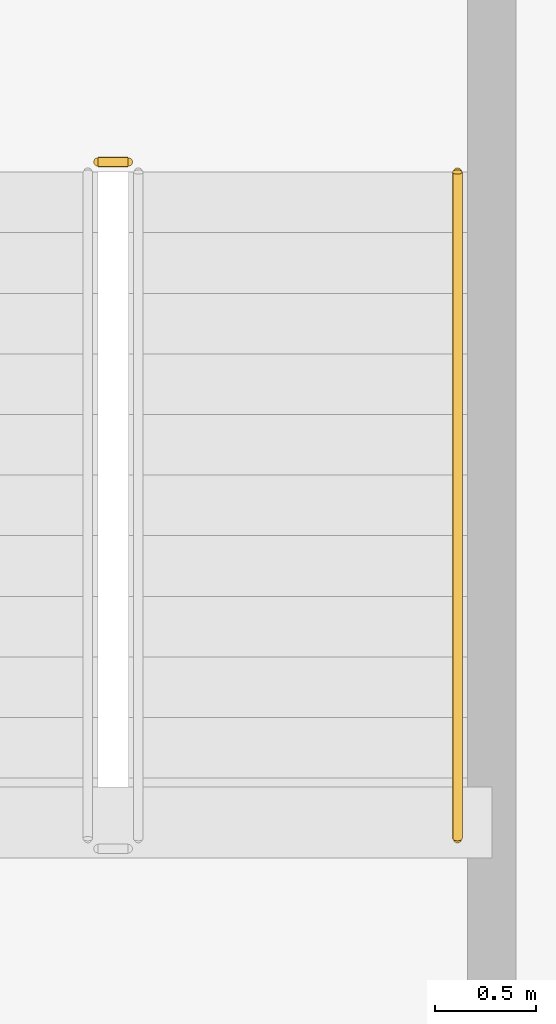
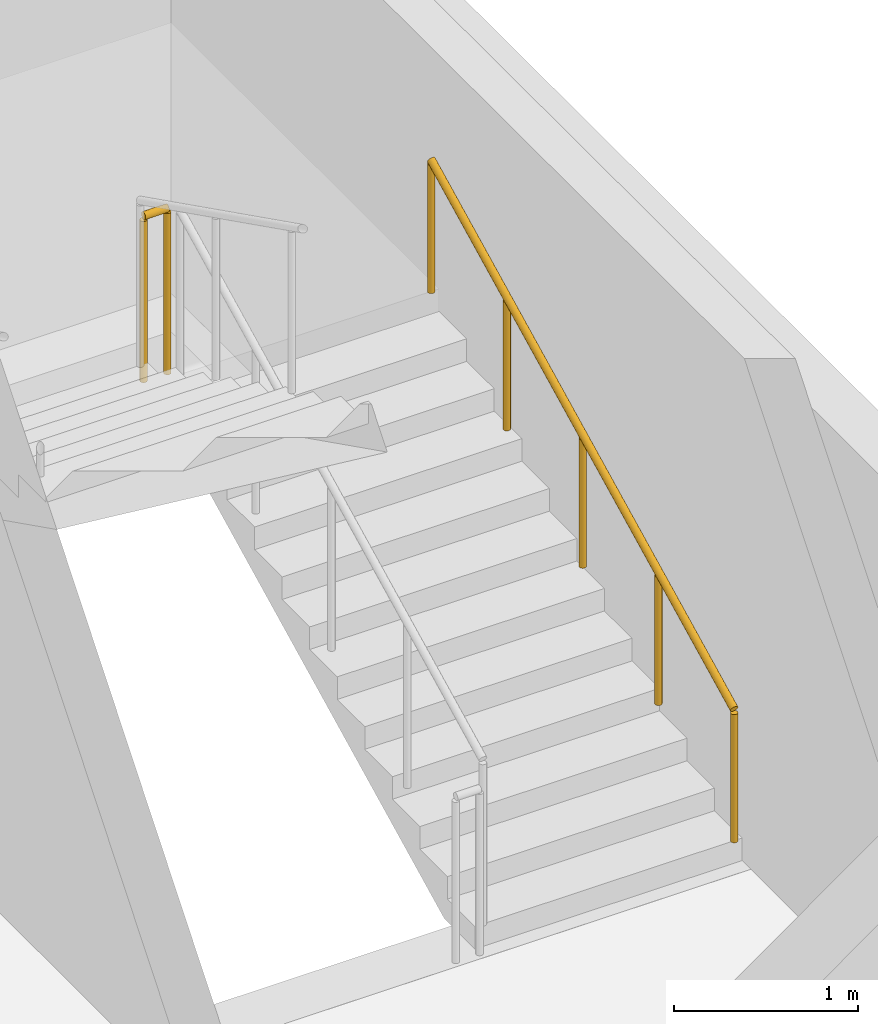
# One storey, part 20 of 20: 2 railings.
"""IFC4 building model written with IfcOpenShell, lengths in metres."""

from ifc_helpers import new_model, si_unit, direction, frame, origin, origin_2d, place, context, subcontext, project, spatial, circle, extrude, material, layer, layer_set, type_object, element, save


model = new_model("IFC4")

# Units and contexts
model_context = context("Model", 3, precision=1e-05, world=origin(), true_north=direction((0.0, 1.0)))
body_context = subcontext(model_context, "Body", "Model", "MODEL_VIEW")
ifc_project = project(units=[si_unit("LENGTHUNIT", "METRE"), si_unit("AREAUNIT", "SQUARE_METRE"), si_unit("VOLUMEUNIT", "CUBIC_METRE"), si_unit("PLANEANGLEUNIT", "RADIAN"), si_unit("MASSUNIT", "GRAM", prefix="KILO")], contexts=[model_context])

# Site, building, storey
site_placement = place(None, origin())
site = spatial("IfcSite", under=ifc_project, at=site_placement, CompositionType="ELEMENT")
building_placement = place(site_placement, origin())
building = spatial("IfcBuilding", under=site, at=building_placement, Name="Yukiwa Park Conservatory and Herbarium", CompositionType="ELEMENT")
storey_placement = place(building_placement, frame((0.0, 0.0, 28.199951171875)))
storey = spatial("IfcBuildingStorey", under=building, at=storey_placement, Name="L07", CompositionType="ELEMENT", Elevation=28.199951171875)

# Railings
ifc_material_1 = material(Name="Steel Q235B", Category="steel")
ifc_layer_1 = layer(ifc_material_1, 0.050048828125)
ifc_layer_set_1 = layer_set([ifc_layer_1], Name="Steel Q235B")
railing_type_1 = type_object("IfcRailingType", Name="RL-STAIR-GUARD-1120", PredefinedType="BALUSTRADE", material=ifc_layer_set_1)
railing_1_placement = place(storey_placement, frame((165.52001953125, 111.72998046875, 1.800048828125)))
element("IfcRailing", 1, at=railing_1_placement, inside=storey, type_object=railing_type_1, Name="L07 ST-T3 stair guard 2", PredefinedType="BALUSTRADE", context=body_context, shape_type="SweptSolid", body=[
    extrude(circle(Radius=0.02392578125, at=origin_2d()), frame((0.0, 0.0, 1.09619140625), z_axis=(-1.0, 0.0, 0.0), x_axis=(0.0, -1.0, 0.0)), (0.0, 0.0, 1.0), 0.14990234375),
    extrude(circle(Radius=0.02099609375, at=origin_2d()), origin(), (0.0, 0.0, 1.0), 1.072021484375),
    extrude(circle(Radius=0.02099609375, at=origin_2d()), frame((-0.14990234375, 0.0, 0.0)), (0.0, 0.0, 1.0), 1.072021484375),
])
ifc_material_2 = material(Name="Steel Q235B", Category="steel")
ifc_layer_2 = layer(ifc_material_2, 0.044921875)
ifc_layer_set_2 = layer_set([ifc_layer_2], Name="Steel Q235B")
railing_type_2 = type_object("IfcRailingType", Name="RL-STAIR-RAIL-900", PredefinedType="HANDRAIL", material=ifc_layer_set_2)
railing_2_placement = place(storey_placement, frame((167.14990234375, 108.3798828125, 0.150146484375)))
element("IfcRailing", 2, at=railing_2_placement, inside=storey, type_object=railing_type_2, Name="L07 ST-T3 stair handrail 1", PredefinedType="HANDRAIL", context=body_context, shape_type="SweptSolid", body=[
    extrude(circle(Radius=0.02392578125, at=origin_2d()), frame((0.0, 0.0, 0.8759765625), z_axis=(0.0, 0.894440424912, 0.447187126696), x_axis=(-1.0, 0.0, 0.0)), (0.0, 0.0, 1.0), 3.689453125),
    extrude(circle(Radius=0.02099609375, at=origin_2d()), origin(), (0.0, 0.0, 1.0), 0.851806640625),
    extrude(circle(Radius=0.02099609375, at=origin_2d()), frame((0.0, 0.824951171875, 0.41259765625)), (0.0, 0.0, 1.0), 0.851806640625),
    extrude(circle(Radius=0.02099609375, at=origin_2d()), frame((0.0, 1.64990234375, 0.824951171875)), (0.0, 0.0, 1.0), 0.851806640625),
    extrude(circle(Radius=0.02099609375, at=origin_2d()), frame((0.0, 2.47509765625, 1.2373046875)), (0.0, 0.0, 1.0), 0.851806640625),
    extrude(circle(Radius=0.02099609375, at=origin_2d()), frame((0.0, 3.300048828125, 1.64990234375)), (0.0, 0.0, 1.0), 0.851806640625),
])

save(model, "model.ifc")
